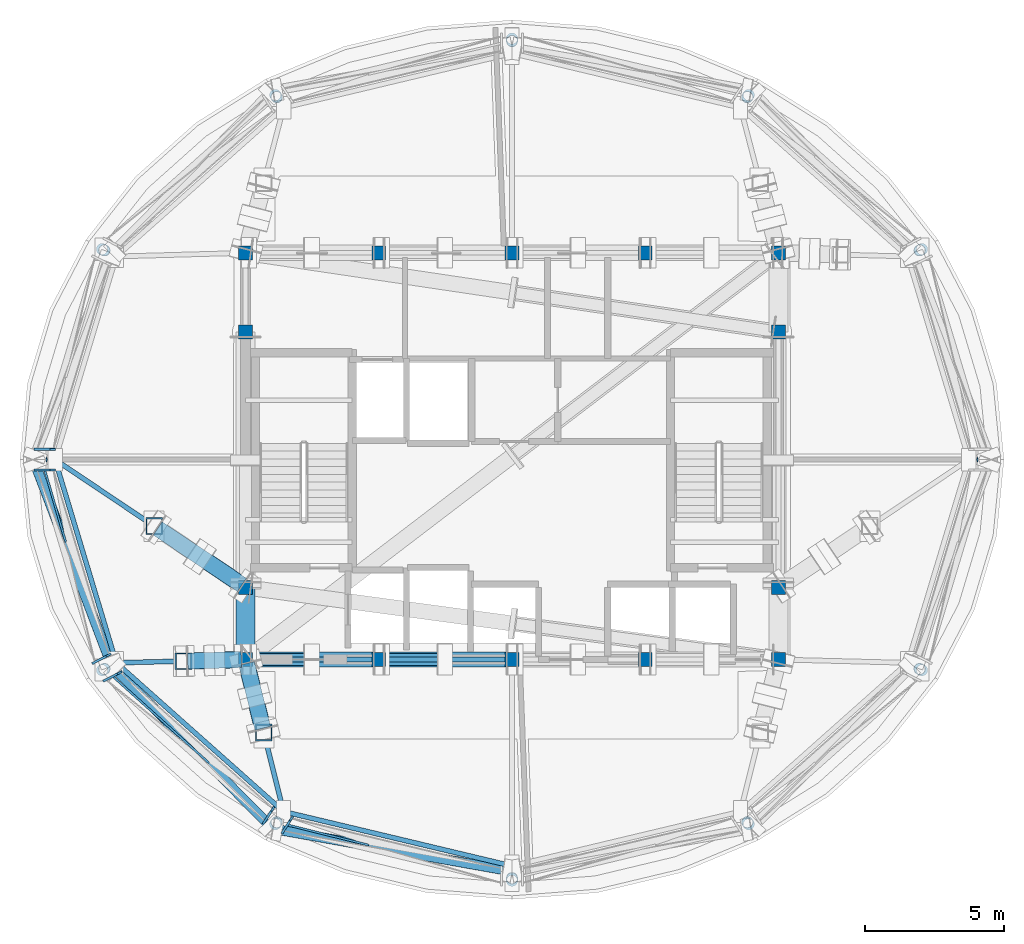
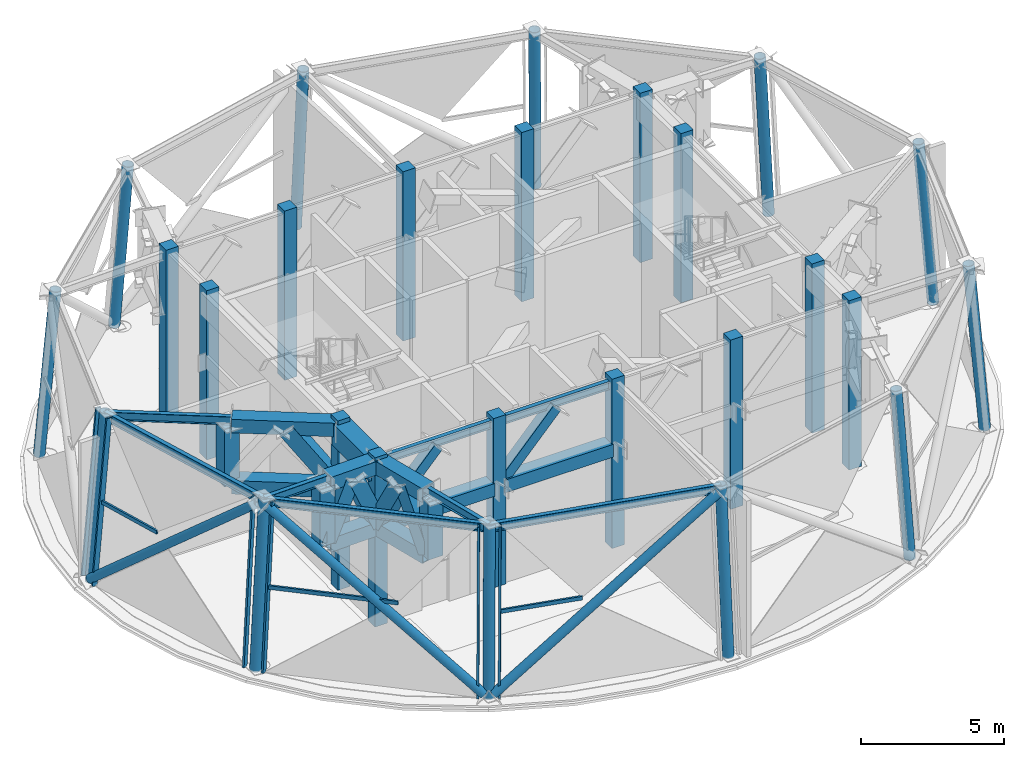
# One storey, part 1 of 12: 30 members, 26 columns, 9 beams, 4 elements without a shape of their own.
"""IFC4 building model written with IfcOpenShell, lengths in metres."""

from ifc_helpers import new_model, si_unit, direction, frame, origin, origin_2d, place, context, subcontext, project, spatial, rectangle, hollow_rectangle, hollow_circle, i_section, extrude, material, layer, layer_set, material_profile, profile_set, type_object, element, aggregate, save


model = new_model("IFC4")

# Units and contexts
model_context = context("Model", 3, precision=1e-05, world=origin(), true_north=direction((0.0, 1.0)))
body_context = subcontext(model_context, "Body", "Model", "MODEL_VIEW")
ifc_project = project(units=[si_unit("LENGTHUNIT", "METRE"), si_unit("AREAUNIT", "SQUARE_METRE"), si_unit("VOLUMEUNIT", "CUBIC_METRE"), si_unit("PLANEANGLEUNIT", "RADIAN"), si_unit("MASSUNIT", "GRAM", prefix="KILO")], contexts=[model_context])

# Site, building, storey
site_placement = place(None, origin())
site = spatial("IfcSite", under=ifc_project, at=site_placement, CompositionType="ELEMENT")
building_placement = place(site_placement, origin())
building = spatial("IfcBuilding", under=site, at=building_placement, Name="Vantalir Tower", CompositionType="ELEMENT")
storey_placement = place(building_placement, frame((0.0, 0.0, 304.5)))
storey = spatial("IfcBuildingStorey", under=building, at=storey_placement, Name="L76", CompositionType="ELEMENT", Elevation=304.5)

# Columns
ifc_material_1 = material(Name="Concrete C50/60", Category="concrete")
ifc_material_profile_1 = material_profile(ifc_material_1, rectangle(XDim=0.5, YDim=0.5, at=origin_2d()), Name="Concrete C50/60")
ifc_profile_set_1 = profile_set([ifc_material_profile_1], Name="Concrete C50/60")
column_type_1 = type_object("IfcColumnType", Name="COL-CC-500", PredefinedType="COLUMN", material=ifc_profile_set_1)
for number, where, z_axis, x_axis, name in (
    (1, (21.89990234375, 17.800048828125, 0.0), (0.0, 0.0, 1.0), (1.0, 0.0, 0.0), "L76 Core Column CC01"),
    (2, (26.699951171875, 17.800048828125, 0.0), (0.0, 0.0, 1.0), (1.0, 0.0, 0.0), "L76 Core Column CC02"),
    (3, (31.5, 17.800048828125, 0.0), (0.0, 0.0, 1.0), (1.0, 0.0, 0.0), "L76 Core Column CC03"),
    (4, (36.300048828125, 17.800048828125, 0.0), (0.0, 0.0, 1.0), (1.0, 0.0, 0.0), "L76 Core Column CC04"),
    (5, (41.10009765625, 17.800048828125, 0.0), (0.0, 0.0, 1.0), (1.0, 0.0, 0.0), "L76 Core Column CC05"),
    (6, (21.89990234375, 20.39990234375, 0.0), (0.0, 0.0, 1.0), (1.0, 0.0, 0.0), "L76 Core Column CC06"),
    (7, (21.89990234375, 29.60009765625, 0.0), (0.0, 0.0, 1.0), (1.0, 0.0, 0.0), "L76 Core Column CC07"),
    (8, (41.10009765625, 20.39990234375, 0.0), (0.0, 0.0, 1.0), (1.0, 0.0, 0.0), "L76 Core Column CC08"),
    (9, (41.10009765625, 29.60009765625, 0.0), (0.0, 0.0, 1.0), (1.0, 0.0, 0.0), "L76 Core Column CC09"),
    (10, (21.89990234375, 32.449951171875, 0.0), (0.0, 0.0, 1.0), (1.0, 0.0, 0.0), "L76 Core Column CC10"),
    (11, (26.699951171875, 32.449951171875, 0.0), (0.0, 0.0, 1.0), (1.0, 0.0, 0.0), "L76 Core Column CC11"),
    (12, (31.5, 32.449951171875, 0.0), (0.0, 0.0, 1.0), (1.0, 0.0, 0.0), "L76 Core Column CC12"),
    (13, (36.300048828125, 32.449951171875, 0.0), (0.0, 0.0, 1.0), (1.0, 0.0, 0.0), "L76 Core Column CC13"),
    (14, (41.10009765625, 32.449951171875, 0.0), (0.0, 0.0, 1.0), (1.0, 0.0, 0.0), "L76 Core Column CC14"),
):
    element("IfcColumn", number, at=place(storey_placement, frame(where, z_axis=z_axis, x_axis=x_axis)), inside=storey, type_object=column_type_1, Name=name, PredefinedType="COLUMN", context=body_context, shape_type="SweptSolid", body=[
        extrude(rectangle(XDim=0.5, YDim=0.5, at=origin_2d()), origin(), (0.0, 0.0, 1.0), 7.25),
    ])
ifc_material_2 = material(Name="Steel S460", Category="steel")
ifc_material_profile_2 = material_profile(ifc_material_2, hollow_circle(Radius=0.2099609375, WallThickness=0.02001953125, at=origin_2d()), Name="Steel S460")
ifc_profile_set_2 = profile_set([ifc_material_profile_2], Name="Steel S460")
column_type_2 = type_object("IfcColumnType", Name="COL-RC-420", PredefinedType="COLUMN", material=ifc_profile_set_2)
column_1_placement = place(storey_placement, frame((48.550048828125, 25.0, 0.0), z_axis=(-0.082763526371, 0.0, 0.996569214206), x_axis=(0.0, -1.0, 0.0)))
element("IfcColumn", 15, at=column_1_placement, inside=storey, type_object=column_type_2, Name="L76 Perimeter Ring Column RC01", PredefinedType="COLUMN", context=body_context, shape_type="SweptSolid", body=[
    extrude(hollow_circle(Radius=0.2099609375, WallThickness=0.02001953125, at=origin_2d()), origin(), (0.0, 0.0, 1.0), 7.094482421875),
])
column_2_placement = place(storey_placement, frame((46.26611328125, 32.58203125, 0.0), z_axis=(-0.071763463245, -0.036931508902, 0.996737713239), x_axis=(0.457588893393, -0.88916387952, 0.0)))
element("IfcColumn", 16, at=column_2_placement, inside=storey, type_object=column_type_2, Name="L76 Perimeter Ring Column RC02", PredefinedType="COLUMN", context=body_context, shape_type="SweptSolid", body=[
    extrude(hollow_circle(Radius=0.2099609375, WallThickness=0.02001953125, at=origin_2d()), origin(), (0.0, 0.0, 1.0), 7.09326171875),
])
column_3_placement = place(storey_placement, frame((40.02490234375, 38.132080078125, 0.0), z_axis=(-0.041317737843, -0.063904767863, 0.997100308487), x_axis=(0.839764329894, -0.542951075363, 0.0)))
element("IfcColumn", 17, at=column_3_placement, inside=storey, type_object=column_type_2, Name="L76 Perimeter Ring Column RC03", PredefinedType="COLUMN", context=body_context, shape_type="SweptSolid", body=[
    extrude(hollow_circle(Radius=0.2099609375, WallThickness=0.02001953125, at=origin_2d()), origin(), (0.0, 0.0, 1.0), 7.090576171875),
])
column_4_placement = place(storey_placement, frame((31.5, 40.1640625, 0.0), z_axis=(0.0, -0.073936378182, 0.997262960298), x_axis=(1.0, 0.0, 0.0)))
element("IfcColumn", 18, at=column_4_placement, inside=storey, type_object=column_type_2, Name="L76 Perimeter Ring Column RC04", PredefinedType="COLUMN", context=body_context, shape_type="SweptSolid", body=[
    extrude(hollow_circle(Radius=0.2099609375, WallThickness=0.02001953125, at=origin_2d()), origin(), (0.0, 0.0, 1.0), 7.08935546875),
])
column_5_placement = place(storey_placement, frame((22.97509765625, 38.132080078125, 0.0), z_axis=(0.041455227341, -0.063904403609, 0.997094625061), x_axis=(0.838938976094, 0.544225499578, 0.0)))
element("IfcColumn", 19, at=column_5_placement, inside=storey, type_object=column_type_2, Name="L76 Perimeter Ring Column RC05", PredefinedType="COLUMN", context=body_context, shape_type="SweptSolid", body=[
    extrude(hollow_circle(Radius=0.2099609375, WallThickness=0.02001953125, at=origin_2d()), origin(), (0.0, 0.0, 1.0), 7.090576171875),
])
column_6_placement = place(storey_placement, frame((16.73388671875, 32.58203125, 0.0), z_axis=(0.071763463245, -0.036931508902, 0.996737713239), x_axis=(0.457588893393, 0.88916387952, 0.0)))
element("IfcColumn", 20, at=column_6_placement, inside=storey, type_object=column_type_2, Name="L76 Perimeter Ring Column RC06", PredefinedType="COLUMN", context=body_context, shape_type="SweptSolid", body=[
    extrude(hollow_circle(Radius=0.2099609375, WallThickness=0.02001953125, at=origin_2d()), origin(), (0.0, 0.0, 1.0), 7.09326171875),
])
column_7_placement = place(storey_placement, frame((14.449951171875, 25.0, 0.0), z_axis=(0.082763526371, 0.0, 0.996569214206), x_axis=(0.0, 1.0, 0.0)))
element("IfcColumn", 21, at=column_7_placement, inside=storey, type_object=column_type_2, Name="L76 Perimeter Ring Column RC07", PredefinedType="COLUMN", context=body_context, shape_type="SweptSolid", body=[
    extrude(hollow_circle(Radius=0.2099609375, WallThickness=0.02001953125, at=origin_2d()), origin(), (0.0, 0.0, 1.0), 7.094482421875),
])
column_8_placement = place(storey_placement, frame((16.73388671875, 17.41796875, 0.0), z_axis=(0.071763463245, 0.036931508902, 0.996737713239), x_axis=(-0.457588893393, 0.88916387952, 0.0)))
element("IfcColumn", 22, at=column_8_placement, inside=storey, type_object=column_type_2, Name="L76 Perimeter Ring Column RC08", PredefinedType="COLUMN", context=body_context, shape_type="SweptSolid", body=[
    extrude(hollow_circle(Radius=0.2099609375, WallThickness=0.02001953125, at=origin_2d()), origin(), (0.0, 0.0, 1.0), 7.09326171875),
])
column_9_placement = place(storey_placement, frame((22.97509765625, 11.867919921875, 0.0), z_axis=(0.041317737843, 0.063904767863, 0.997100308487), x_axis=(-0.839764329894, 0.542951075363, 0.0)))
element("IfcColumn", 23, at=column_9_placement, inside=storey, type_object=column_type_2, Name="L76 Perimeter Ring Column RC09", PredefinedType="COLUMN", context=body_context, shape_type="SweptSolid", body=[
    extrude(hollow_circle(Radius=0.2099609375, WallThickness=0.02001953125, at=origin_2d()), origin(), (0.0, 0.0, 1.0), 7.090576171875),
])
column_10_placement = place(storey_placement, frame((31.5, 9.8359375, 0.0), z_axis=(0.0, 0.073936378182, 0.997262960298), x_axis=(-1.0, 0.0, 0.0)))
element("IfcColumn", 24, at=column_10_placement, inside=storey, type_object=column_type_2, Name="L76 Perimeter Ring Column RC10", PredefinedType="COLUMN", context=body_context, shape_type="SweptSolid", body=[
    extrude(hollow_circle(Radius=0.2099609375, WallThickness=0.02001953125, at=origin_2d()), origin(), (0.0, 0.0, 1.0), 7.08935546875),
])
column_11_placement = place(storey_placement, frame((40.02490234375, 11.867919921875, 0.0), z_axis=(-0.041317737843, 0.063904767863, 0.997100308487), x_axis=(-0.839764329894, -0.542951075363, 0.0)))
element("IfcColumn", 25, at=column_11_placement, inside=storey, type_object=column_type_2, Name="L76 Perimeter Ring Column RC11", PredefinedType="COLUMN", context=body_context, shape_type="SweptSolid", body=[
    extrude(hollow_circle(Radius=0.2099609375, WallThickness=0.02001953125, at=origin_2d()), origin(), (0.0, 0.0, 1.0), 7.090576171875),
])
column_12_placement = place(storey_placement, frame((46.26611328125, 17.41796875, 0.0), z_axis=(-0.071763463245, 0.036931508902, 0.996737713239), x_axis=(-0.457588893393, -0.88916387952, 0.0)))
element("IfcColumn", 26, at=column_12_placement, inside=storey, type_object=column_type_2, Name="L76 Perimeter Ring Column RC12", PredefinedType="COLUMN", context=body_context, shape_type="SweptSolid", body=[
    extrude(hollow_circle(Radius=0.2099609375, WallThickness=0.02001953125, at=origin_2d()), origin(), (0.0, 0.0, 1.0), 7.09326171875),
])

# Beams
ifc_material_3 = material(Name="Concrete C60/75", Category="concrete")
ifc_material_profile_3 = material_profile(ifc_material_3, rectangle(XDim=0.699951171875, YDim=0.949951171875, at=origin_2d()), Name="Concrete C60/75")
ifc_profile_set_3 = profile_set([ifc_material_profile_3], Name="Concrete C60/75")
beam_type_1 = type_object("IfcBeamType", Name="BM-CB-700x950", PredefinedType="USERDEFINED", material=ifc_profile_set_3)
beam_1_placement = place(storey_placement, frame((21.89990234375, 20.39990234375, 6.594970703125), z_axis=(0.0, -1.0, 0.0), x_axis=(1.0, 0.0, 0.0)))
element("IfcBeam", 27, at=beam_1_placement, inside=storey, type_object=beam_type_1, Name="L76 Core Coupling Girder 14", ObjectType="GIRDER", PredefinedType="USERDEFINED", context=body_context, shape_type="SweptSolid", body=[
    extrude(rectangle(XDim=0.699951171875, YDim=0.949951171875, at=origin_2d()), origin(), (0.0, 0.0, 1.0), 2.599853515625),
])
ifc_material_profile_4 = material_profile(ifc_material_2, i_section(OverallWidth=0.172119140625, OverallDepth=0.35791015625, WebThickness=0.008056640625, FlangeThickness=0.012939453125, at=origin_2d()), Name="Steel S460")
ifc_profile_set_4 = profile_set([ifc_material_profile_4], Name="Steel S460")
beam_type_2 = type_object("IfcBeamType", Name="BM-RB-356x171", PredefinedType="BEAM", material=ifc_profile_set_4)
for number, where, z_axis, x_axis, name in (
    (28, (21.89990234375, 17.800048828125, 6.89111328125), (1.0, 0.0, 0.0), (0.0, 1.0, 0.0), "L76 Core Coupling Girder 01"),
    (29, (26.699951171875, 17.800048828125, 6.89111328125), (1.0, 0.0, 0.0), (0.0, 1.0, 0.0), "L76 Core Coupling Girder 02"),
):
    element("IfcBeam", number, at=place(storey_placement, frame(where, z_axis=z_axis, x_axis=x_axis)), inside=storey, type_object=beam_type_2, Name=name, PredefinedType="BEAM", context=body_context, shape_type="SweptSolid", body=[
        extrude(i_section(OverallWidth=0.172119140625, OverallDepth=0.35791015625, WebThickness=0.008056640625, FlangeThickness=0.012939453125, at=origin_2d()), origin(), (0.0, 0.0, 1.0), 4.800048828125),
    ])
beam_2_placement = place(storey_placement, frame((15.037109375, 25.0, 6.89111328125), z_axis=(0.288522484145, -0.957473120324, 0.0), x_axis=(0.957473120324, 0.288522484145, 0.0)))
element("IfcBeam", 30, at=beam_2_placement, inside=storey, type_object=beam_type_2, Name="L76 Circumferential Ring Girder 07", PredefinedType="BEAM", context=body_context, shape_type="SweptSolid", body=[
    extrude(i_section(OverallWidth=0.172119140625, OverallDepth=0.35791015625, WebThickness=0.008056640625, FlangeThickness=0.012939453125, at=origin_2d()), origin(), (0.0, 0.0, 1.0), 7.645263671875),
])
beam_3_placement = place(storey_placement, frame((15.037109375, 25.0, 6.89111328125), z_axis=(0.830656544516, -0.55678515161, 0.0), x_axis=(0.55678515161, 0.830656544516, 0.0)))
element("IfcBeam", 31, at=beam_3_placement, inside=storey, type_object=beam_type_2, Name="L76 Radial Floor Beam 07", PredefinedType="BEAM", context=body_context, shape_type="SweptSolid", body=[
    extrude(i_section(OverallWidth=0.172119140625, OverallDepth=0.35791015625, WebThickness=0.008056640625, FlangeThickness=0.012939453125, at=origin_2d()), origin(), (0.0, 0.0, 1.0), 8.261962890625),
])
beam_4_placement = place(storey_placement, frame((17.242919921875, 17.679931640625, 6.89111328125), z_axis=(0.74721217047, -0.664585564319, 0.0), x_axis=(0.664585564319, 0.74721217047, 0.0)))
element("IfcBeam", 32, at=beam_4_placement, inside=storey, type_object=beam_type_2, Name="L76 Circumferential Ring Girder 08", PredefinedType="BEAM", context=body_context, shape_type="SweptSolid", body=[
    extrude(i_section(OverallWidth=0.172119140625, OverallDepth=0.35791015625, WebThickness=0.008056640625, FlangeThickness=0.012939453125, at=origin_2d()), origin(), (0.0, 0.0, 1.0), 8.0634765625),
])
beam_5_placement = place(storey_placement, frame((17.242919921875, 17.679931640625, 6.89111328125), z_axis=(0.99966752845, 0.025784347261, 0.0), x_axis=(-0.025784347261, 0.99966752845, 0.0)))
element("IfcBeam", 33, at=beam_5_placement, inside=storey, type_object=beam_type_2, Name="L76 Radial Floor Beam 08", PredefinedType="BEAM", context=body_context, shape_type="SweptSolid", body=[
    extrude(i_section(OverallWidth=0.172119140625, OverallDepth=0.35791015625, WebThickness=0.008056640625, FlangeThickness=0.012939453125, at=origin_2d()), origin(), (0.0, 0.0, 1.0), 4.658447265625),
])
beam_6_placement = place(storey_placement, frame((23.26806640625, 12.321044921875, 6.89111328125), z_axis=(0.972780825365, -0.231727136525, 0.0), x_axis=(0.231727136525, 0.972780825365, 0.0)))
element("IfcBeam", 34, at=beam_6_placement, inside=storey, type_object=beam_type_2, Name="L76 Circumferential Ring Girder 09", PredefinedType="BEAM", context=body_context, shape_type="SweptSolid", body=[
    extrude(i_section(OverallWidth=0.172119140625, OverallDepth=0.35791015625, WebThickness=0.008056640625, FlangeThickness=0.012939453125, at=origin_2d()), origin(), (0.0, 0.0, 1.0), 8.462158203125),
])
beam_7_placement = place(storey_placement, frame((23.26806640625, 12.321044921875, 6.89111328125), z_axis=(-0.242271138986, 0.970208583354, 0.0), x_axis=(-0.970208583354, -0.242271138986, 0.0)))
element("IfcBeam", 35, at=beam_7_placement, inside=storey, type_object=beam_type_2, Name="L76 Radial Floor Beam 09", PredefinedType="BEAM", context=body_context, shape_type="SweptSolid", body=[
    extrude(i_section(OverallWidth=0.172119140625, OverallDepth=0.35791015625, WebThickness=0.008056640625, FlangeThickness=0.012939453125, at=origin_2d()), origin(), (0.0, 0.0, 1.0), 5.647216796875),
])

# Curtain wall, member
ifc_material_4 = material(Name="Champagne-silver PVDF aluminium and double-silver Low-E glass", Category="aluminium")
ifc_layer = layer(ifc_material_4, 0.25)
ifc_layer_set = layer_set([ifc_layer], Name="Champagne-silver PVDF aluminium and double-silver Low-E glass")
curtain_wall_type = type_object("IfcCurtainWallType", Name="CW-CROWN-PT", PredefinedType="USERDEFINED", material=ifc_layer_set)
curtain_wall_1_placement = place(storey_placement, origin())
curtain_wall_1 = element("IfcCurtainWall", 36, at=curtain_wall_1_placement, inside=storey, type_object=curtain_wall_type, Name="L76 Quilted Pyramid-Diamond Curtain Wall S06", ObjectType="UNITISED CURTAIN WALL", PredefinedType="USERDEFINED")
ifc_material_5 = material(Name="Champagne-silver PVDF aluminium 6063-T6", Category="aluminium")
ifc_material_profile_5 = material_profile(ifc_material_5, hollow_rectangle(XDim=0.080078125, YDim=0.199951171875, WallThickness=0.0048828125, at=origin_2d()), Name="Champagne-silver PVDF aluminium 6063-T6")
ifc_profile_set_5 = profile_set([ifc_material_profile_5], Name="Champagne-silver PVDF aluminium 6063-T6")
member_type_1 = type_object("IfcMemberType", Name="CWM-200x80", PredefinedType="MULLION", material=ifc_profile_set_5)
member_1_placement = place(storey_placement, frame((14.3720703125, 25.373046875, 0.044921875), z_axis=(0.083789655369, 0.0, 0.996483463813), x_axis=(0.0, 1.0, 0.0)))
member_1 = element("IfcMember", 37, at=member_1_placement, type_object=member_type_1, Name="CW-L76-S06 Mullion 2", PredefinedType="MULLION", context=body_context, shape_type="SweptSolid", body=[
    extrude(hollow_rectangle(XDim=0.080078125, YDim=0.199951171875, WallThickness=0.0048828125, at=origin_2d()), origin(), (0.0, 0.0, 1.0), 7.004638671875),
])
aggregate(curtain_wall_1, [member_1])

# Curtain wall, members
curtain_wall_2_placement = place(storey_placement, origin())
curtain_wall_2 = element("IfcCurtainWall", 38, at=curtain_wall_2_placement, inside=storey, type_object=curtain_wall_type, Name="L76 Quilted Pyramid-Diamond Curtain Wall S07", ObjectType="UNITISED CURTAIN WALL", PredefinedType="USERDEFINED")
member_2_placement = place(storey_placement, frame((14.3720703125, 24.626953125, 0.044921875), z_axis=(0.083789655369, 0.0, 0.996483463813), x_axis=(0.0, 1.0, 0.0)))
member_2 = element("IfcMember", 39, at=member_2_placement, type_object=member_type_1, Name="CW-L76-S07 Mullion 1", PredefinedType="MULLION", context=body_context, shape_type="SweptSolid", body=[
    extrude(hollow_rectangle(XDim=0.080078125, YDim=0.199951171875, WallThickness=0.0048828125, at=origin_2d()), origin(), (0.0, 0.0, 1.0), 7.004638671875),
])
member_3_placement = place(storey_placement, frame((16.4580078125, 17.696044921875, 0.044921875), z_axis=(0.072544830154, 0.037405383352, 0.996663476262), x_axis=(-0.4582838613, 0.888805885709, 0.0)))
member_3 = element("IfcMember", 40, at=member_3_placement, type_object=member_type_1, Name="CW-L76-S07 Mullion 2", PredefinedType="MULLION", context=body_context, shape_type="SweptSolid", body=[
    extrude(hollow_rectangle(XDim=0.080078125, YDim=0.199951171875, WallThickness=0.0048828125, at=origin_2d()), origin(), (0.0, 0.0, 1.0), 7.00341796875),
])

curtain_wall_3_placement = place(storey_placement, origin())
curtain_wall_3 = element("IfcCurtainWall", 41, at=curtain_wall_3_placement, inside=storey, type_object=curtain_wall_type, Name="L76 Quilted Pyramid-Diamond Curtain Wall S08", ObjectType="UNITISED CURTAIN WALL", PredefinedType="USERDEFINED")
member_4_placement = place(storey_placement, frame((16.861083984375, 17.06396484375, 0.044921875), z_axis=(0.072510152923, 0.037405477926, 0.996665996181), x_axis=(-0.458457889365, 0.888716132226, 0.0)))
member_4 = element("IfcMember", 42, at=member_4_placement, type_object=member_type_1, Name="CW-L76-S08 Mullion 1", PredefinedType="MULLION", context=body_context, shape_type="SweptSolid", body=[
    extrude(hollow_rectangle(XDim=0.080078125, YDim=0.199951171875, WallThickness=0.0048828125, at=origin_2d()), origin(), (0.0, 0.0, 1.0), 7.00341796875),
])
member_5_placement = place(storey_placement, frame((22.589111328125, 11.9619140625, 0.044921875), z_axis=(0.041847483716, 0.06486359976, 0.997016299532), x_axis=(-0.840296648224, 0.542126869822, 0.0)))
member_5 = element("IfcMember", 43, at=member_5_placement, type_object=member_type_1, Name="CW-L76-S08 Mullion 2", PredefinedType="MULLION", context=body_context, shape_type="SweptSolid", body=[
    extrude(hollow_rectangle(XDim=0.080078125, YDim=0.199951171875, WallThickness=0.0048828125, at=origin_2d()), origin(), (0.0, 0.0, 1.0), 7.0009765625),
])

# Curtain wall, member
curtain_wall_4_placement = place(storey_placement, origin())
curtain_wall_4 = element("IfcCurtainWall", 44, at=curtain_wall_4_placement, inside=storey, type_object=curtain_wall_type, Name="L76 Quilted Pyramid-Diamond Curtain Wall S09", ObjectType="UNITISED CURTAIN WALL", PredefinedType="USERDEFINED")
member_6_placement = place(storey_placement, frame((23.259033203125, 11.612060546875, 0.044921875), z_axis=(0.041847578349, 0.064828873459, 0.997018554167), x_axis=(-0.840163795979, 0.542332735436, 0.0)))
member_6 = element("IfcMember", 45, at=member_6_placement, type_object=member_type_1, Name="CW-L76-S09 Mullion 1", PredefinedType="MULLION", context=body_context, shape_type="SweptSolid", body=[
    extrude(hollow_rectangle(XDim=0.080078125, YDim=0.199951171875, WallThickness=0.0048828125, at=origin_2d()), origin(), (0.0, 0.0, 1.0), 7.000732421875),
])

# Member
ifc_material_profile_6 = material_profile(ifc_material_5, hollow_rectangle(XDim=0.074951171875, YDim=0.159912109375, WallThickness=0.00390625, at=origin_2d()), Name="Champagne-silver PVDF aluminium 6063-T6")
ifc_profile_set_6 = profile_set([ifc_material_profile_6], Name="Champagne-silver PVDF aluminium 6063-T6")
member_type_2 = type_object("IfcMemberType", Name="CWT-160x75", PredefinedType="USERDEFINED", material=ifc_profile_set_6)
member_7_placement = place(storey_placement, frame((14.666015625, 24.626953125, 3.534912109375), z_axis=(0.279693916572, -0.960089221392, 0.0), x_axis=(0.960089221392, 0.279693916572, 0.0)))
member_7 = element("IfcMember", 46, at=member_7_placement, type_object=member_type_2, Name="CW-L76-S07 Pyramid Fold Ridge Transom", ObjectType="TRANSOM", PredefinedType="USERDEFINED", context=body_context, shape_type="SweptSolid", body=[
    extrude(hollow_rectangle(XDim=0.074951171875, YDim=0.159912109375, WallThickness=0.00390625, at=origin_2d()), origin(), (0.0, 0.0, 1.0), 2.695556640625),
])

aggregate(curtain_wall_2, [member_2, member_3, member_7])

member_8_placement = place(storey_placement, frame((17.114990234375, 17.195068359375, 3.534912109375), z_axis=(0.743307155619, -0.668950276482, 0.0), x_axis=(0.668950276482, 0.743307155619, 0.0)))
member_8 = element("IfcMember", 47, at=member_8_placement, type_object=member_type_2, Name="CW-L76-S08 Pyramid Fold Ridge Transom", ObjectType="TRANSOM", PredefinedType="USERDEFINED", context=body_context, shape_type="SweptSolid", body=[
    extrude(hollow_rectangle(XDim=0.074951171875, YDim=0.159912109375, WallThickness=0.00390625, at=origin_2d()), origin(), (0.0, 0.0, 1.0), 4.665771484375),
])

aggregate(curtain_wall_3, [member_4, member_5, member_8])

member_9_placement = place(storey_placement, frame((23.406005859375, 11.839111328125, 3.534912109375), z_axis=(0.970811285647, -0.239844632335, 0.0), x_axis=(0.239844632335, 0.970811285647, 0.0)))
member_9 = element("IfcMember", 48, at=member_9_placement, type_object=member_type_2, Name="CW-L76-S09 Pyramid Fold Ridge Transom", ObjectType="TRANSOM", PredefinedType="USERDEFINED", context=body_context, shape_type="SweptSolid", body=[
    extrude(hollow_rectangle(XDim=0.074951171875, YDim=0.159912109375, WallThickness=0.00390625, at=origin_2d()), origin(), (0.0, 0.0, 1.0), 3.010986328125),
])

aggregate(curtain_wall_4, [member_6, member_9])

# Members
ifc_material_profile_7 = material_profile(ifc_material_2, hollow_rectangle(XDim=0.419921875, YDim=0.419921875, WallThickness=0.030029296875, at=origin_2d()), Name="Steel S460")
ifc_profile_set_7 = profile_set([ifc_material_profile_7], Name="Steel S460")
member_type_3 = type_object("IfcMemberType", Name="MEM-BT-420x30", PredefinedType="BRACE", material=ifc_profile_set_7)
member_10_placement = place(storey_placement, frame((22.02197265625, 17.800048828125, 4.3330078125), z_axis=(0.675455053523, 0.0, 0.737401159933), x_axis=(0.0, 1.0, 0.0)))
element("IfcMember", 49, at=member_10_placement, inside=storey, type_object=member_type_3, Name="L76 Belt Truss Web Diagonal 01A", PredefinedType="BRACE", context=body_context, shape_type="SweptSolid", body=[
    extrude(hollow_rectangle(XDim=0.419921875, YDim=0.419921875, WallThickness=0.030029296875, at=origin_2d()), origin(), (0.0, 0.0, 1.0), 3.322509765625),
])
member_11_placement = place(storey_placement, frame((26.822021484375, 17.800048828125, 4.3330078125), z_axis=(0.675415093438, 0.0, 0.737437761141), x_axis=(0.0, 1.0, 0.0)))
element("IfcMember", 50, at=member_11_placement, inside=storey, type_object=member_type_3, Name="L76 Belt Truss Web Diagonal 02A", PredefinedType="BRACE", context=body_context, shape_type="SweptSolid", body=[
    extrude(hollow_rectangle(XDim=0.419921875, YDim=0.419921875, WallThickness=0.030029296875, at=origin_2d()), origin(), (0.0, 0.0, 1.0), 3.322265625),
])
ifc_material_profile_8 = material_profile(ifc_material_2, hollow_rectangle(XDim=0.550048828125, YDim=0.550048828125, WallThickness=0.035888671875, at=origin_2d()), Name="Steel S460")
ifc_profile_set_8 = profile_set([ifc_material_profile_8], Name="Steel S460")
member_type_4 = type_object("IfcMemberType", Name="MEM-CH-550x36", PredefinedType="CHORD", material=ifc_profile_set_8)
member_12_placement = place(storey_placement, frame((22.10009765625, 17.800048828125, 4.199951171875), z_axis=(1.0, 0.0, 0.0), x_axis=(0.0, 1.0, 0.0)))
element("IfcMember", 51, at=member_12_placement, inside=storey, type_object=member_type_4, Name="L76 Belt Truss Bottom Chord 01", PredefinedType="CHORD", context=body_context, shape_type="SweptSolid", body=[
    extrude(hollow_rectangle(XDim=0.550048828125, YDim=0.550048828125, WallThickness=0.035888671875, at=origin_2d()), origin(), (0.0, 0.0, 1.0), 4.39990234375),
])
member_13_placement = place(storey_placement, frame((26.89990234375, 17.800048828125, 4.199951171875), z_axis=(1.0, 0.0, 0.0), x_axis=(0.0, 1.0, 0.0)))
element("IfcMember", 52, at=member_13_placement, inside=storey, type_object=member_type_4, Name="L76 Belt Truss Bottom Chord 02", PredefinedType="CHORD", context=body_context, shape_type="SweptSolid", body=[
    extrude(hollow_rectangle(XDim=0.550048828125, YDim=0.550048828125, WallThickness=0.035888671875, at=origin_2d()), origin(), (0.0, 0.0, 1.0), 4.400146484375),
])
ifc_material_profile_9 = material_profile(ifc_material_2, hollow_rectangle(XDim=0.580078125, YDim=0.580078125, WallThickness=0.0380859375, at=origin_2d()), Name="Steel S460")
ifc_profile_set_9 = profile_set([ifc_material_profile_9], Name="Steel S460")
member_type_5 = type_object("IfcMemberType", Name="MEM-CH-580x38", PredefinedType="CHORD", material=ifc_profile_set_9)
for number, where, z_axis, x_axis, name in (
    (53, (21.77490234375, 20.48388671875, 4.199951171875), (-0.830694795831, 0.556728081005, 0.0), (-0.556728081005, -0.830694795831, 0.0), "L76 Outrigger Truss Bottom Chord 05"),
    (54, (21.77490234375, 20.48388671875, 6.820068359375), (-0.830694795831, 0.556728081005, 0.0), (-0.556728081005, -0.830694795831, 0.0), "L76 Outrigger Truss Top Chord 05"),
):
    element("IfcMember", number, at=place(storey_placement, frame(where, z_axis=z_axis, x_axis=x_axis)), inside=storey, type_object=member_type_5, Name=name, PredefinedType="CHORD", context=body_context, shape_type="SweptSolid", body=[
        extrude(hollow_rectangle(XDim=0.580078125, YDim=0.580078125, WallThickness=0.0380859375, at=origin_2d()), origin(), (0.0, 0.0, 1.0), 3.664306640625),
    ])
for number, where, z_axis, x_axis, name in (
    (55, (21.75, 17.7958984375, 4.199951171875), (-0.999668940164, -0.025729556371, 0.0), (0.025729556371, -0.999668940164, 0.0), "L76 Outrigger Truss Bottom Chord 06"),
    (56, (21.75, 17.7958984375, 6.820068359375), (-0.999668940164, -0.025729556371, 0.0), (0.025729556371, -0.999668940164, 0.0), "L76 Outrigger Truss Top Chord 06"),
):
    element("IfcMember", number, at=place(storey_placement, frame(where, z_axis=z_axis, x_axis=x_axis)), inside=storey, type_object=member_type_5, Name=name, PredefinedType="CHORD", context=body_context, shape_type="SweptSolid", body=[
        extrude(hollow_rectangle(XDim=0.580078125, YDim=0.580078125, WallThickness=0.0380859375, at=origin_2d()), origin(), (0.0, 0.0, 1.0), 1.935791015625),
    ])
for number, where, z_axis, x_axis, name in (
    (57, (21.93603515625, 17.654052734375, 4.199951171875), (0.242702460026, -0.970100776155, 0.0), (0.970100776155, 0.242702460026, 0.0), "L76 Outrigger Truss Bottom Chord 07"),
    (58, (21.93603515625, 17.654052734375, 6.820068359375), (0.242702460026, -0.970100776155, 0.0), (0.970100776155, 0.242702460026, 0.0), "L76 Outrigger Truss Top Chord 07"),
):
    element("IfcMember", number, at=place(storey_placement, frame(where, z_axis=z_axis, x_axis=x_axis)), inside=storey, type_object=member_type_5, Name=name, PredefinedType="CHORD", context=body_context, shape_type="SweptSolid", body=[
        extrude(hollow_rectangle(XDim=0.580078125, YDim=0.580078125, WallThickness=0.0380859375, at=origin_2d()), origin(), (0.0, 0.0, 1.0), 2.41015625),
    ])
ifc_material_profile_10 = material_profile(ifc_material_2, hollow_circle(Radius=0.177490234375, WallThickness=0.02001953125, at=origin_2d()), Name="Steel S460")
ifc_profile_set_10 = profile_set([ifc_material_profile_10], Name="Steel S460")
member_type_6 = type_object("IfcMemberType", Name="MEM-DB-355x20", PredefinedType="BRACE", material=ifc_profile_set_10)
member_14_placement = place(storey_placement, frame((14.319091796875, 24.844970703125, 0.22509765625), z_axis=(0.267869695363, -0.704904952931, 0.656776090947), x_axis=(0.934781020776, 0.355224496899, 0.0)))
element("IfcMember", 59, at=member_14_placement, inside=storey, type_object=member_type_6, Name="L76 CROWN FRAME Diagrid Brace R19L", PredefinedType="BRACE", context=body_context, shape_type="SweptSolid", body=[
    extrude(hollow_circle(Radius=0.177490234375, WallThickness=0.02001953125, at=origin_2d()), origin(), (0.0, 0.0, 1.0), 10.079345703125),
])
member_15_placement = place(storey_placement, frame((23.050048828125, 11.673095703125, 0.216064453125), z_axis=(0.772818347018, -0.137496267313, 0.619553531979), x_axis=(0.175164654269, 0.984539153053, 0.0)))
element("IfcMember", 60, at=member_15_placement, inside=storey, type_object=member_type_6, Name="L76 CROWN FRAME Diagrid Brace R25L", PredefinedType="BRACE", context=body_context, shape_type="SweptSolid", body=[
    extrude(hollow_circle(Radius=0.177490234375, WallThickness=0.02001953125, at=origin_2d()), origin(), (0.0, 0.0, 1.0), 10.714111328125),
])
member_16_placement = place(storey_placement, frame((22.760986328125, 11.822998046875, 0.220947265625), z_axis=(-0.538584937277, 0.546147340959, 0.641599054942), x_axis=(-0.712019198283, -0.702159996922, 0.0)))
element("IfcMember", 61, at=member_16_placement, inside=storey, type_object=member_type_6, Name="L76 CROWN FRAME Diagrid Brace R25R", PredefinedType="BRACE", context=body_context, shape_type="SweptSolid", body=[
    extrude(hollow_circle(Radius=0.177490234375, WallThickness=0.02001953125, at=origin_2d()), origin(), (0.0, 0.0, 1.0), 10.330810546875),
])
ifc_material_profile_11 = material_profile(ifc_material_2, hollow_rectangle(XDim=0.60009765625, YDim=0.60009765625, WallThickness=0.0400390625, at=origin_2d()), Name="Steel S460")
ifc_profile_set_11 = profile_set([ifc_material_profile_11], Name="Steel S460")
member_type_7 = type_object("IfcMemberType", Name="MEM-OR-600x40", PredefinedType="BRACE", material=ifc_profile_set_11)
member_17_placement = place(storey_placement, frame((21.824951171875, 20.449951171875, 4.320068359375), z_axis=(-0.50137552309, 0.336301295481, 0.797197606308), x_axis=(-0.557049881514, -0.830479036162, 0.0)))
element("IfcMember", 62, at=member_17_placement, inside=storey, type_object=member_type_7, Name="L76 Outrigger Truss Diagonal 05A", PredefinedType="BRACE", context=body_context, shape_type="SweptSolid", body=[
    extrude(hollow_rectangle(XDim=0.60009765625, YDim=0.60009765625, WallThickness=0.0400390625, at=origin_2d()), origin(), (0.0, 0.0, 1.0), 3.015625),
])
member_18_placement = place(storey_placement, frame((18.60595703125, 22.60791015625, 4.280029296875), z_axis=(0.0, 0.0, 1.0), x_axis=(1.0, 0.0, 0.0)))
element("IfcMember", 63, at=member_18_placement, inside=storey, type_object=member_type_7, Name="L76 Outrigger Truss Tip Post 05", PredefinedType="BRACE", context=body_context, shape_type="SweptSolid", body=[
    extrude(hollow_rectangle(XDim=0.60009765625, YDim=0.60009765625, WallThickness=0.0400390625, at=origin_2d()), origin(), (0.0, 0.0, 1.0), 2.4599609375),
])
for number, where, z_axis, x_axis, name in (
    (64, (21.841064453125, 17.798095703125, 4.337890625), (-0.39205861823, -0.010130469005, 0.919884456586), (0.025830547675, -0.999666335737, 0.0), "L76 Outrigger Truss Diagonal 06A"),
    (65, (20.735107421875, 17.77001953125, 6.7099609375), (-0.39205861823, -0.010130469005, -0.919884456586), (0.025830547675, -0.999666335737, 0.0), "L76 Outrigger Truss Diagonal 06B"),
):
    element("IfcMember", number, at=place(storey_placement, frame(where, z_axis=z_axis, x_axis=x_axis)), inside=storey, type_object=member_type_7, Name=name, PredefinedType="BRACE", context=body_context, shape_type="SweptSolid", body=[
        extrude(hollow_rectangle(XDim=0.60009765625, YDim=0.60009765625, WallThickness=0.0400390625, at=origin_2d()), origin(), (0.0, 0.0, 1.0), 2.57861328125),
    ])
member_19_placement = place(storey_placement, frame((19.6650390625, 17.741943359375, 4.280029296875), z_axis=(0.0, 0.0, 1.0), x_axis=(1.0, 0.0, 0.0)))
element("IfcMember", 66, at=member_19_placement, inside=storey, type_object=member_type_7, Name="L76 Outrigger Truss Tip Post 06", PredefinedType="BRACE", context=body_context, shape_type="SweptSolid", body=[
    extrude(hollow_rectangle(XDim=0.60009765625, YDim=0.60009765625, WallThickness=0.0400390625, at=origin_2d()), origin(), (0.0, 0.0, 1.0), 2.4599609375),
])
for number, where, z_axis, x_axis, name in (
    (67, (21.9169921875, 17.73291015625, 4.3330078125), (0.111245941054, -0.445894869385, 0.888145318096), (0.970259008467, 0.242069115108, 0.0), "L76 Outrigger Truss Diagonal 07A"),
    (68, (22.241943359375, 16.431884765625, 6.712890625), (0.111245941054, -0.445894869385, -0.888145318096), (0.970259008467, 0.242069115108, 0.0), "L76 Outrigger Truss Diagonal 07B"),
):
    element("IfcMember", number, at=place(storey_placement, frame(where, z_axis=z_axis, x_axis=x_axis)), inside=storey, type_object=member_type_7, Name=name, PredefinedType="BRACE", context=body_context, shape_type="SweptSolid", body=[
        extrude(hollow_rectangle(XDim=0.60009765625, YDim=0.60009765625, WallThickness=0.0400390625, at=origin_2d()), origin(), (0.0, 0.0, 1.0), 2.6796875),
    ])
member_20_placement = place(storey_placement, frame((22.556884765625, 15.169921875, 4.280029296875), z_axis=(0.0, 0.0, 1.0), x_axis=(1.0, 0.0, 0.0)))
element("IfcMember", 69, at=member_20_placement, inside=storey, type_object=member_type_7, Name="L76 Outrigger Truss Tip Post 07", PredefinedType="BRACE", context=body_context, shape_type="SweptSolid", body=[
    extrude(hollow_rectangle(XDim=0.60009765625, YDim=0.60009765625, WallThickness=0.0400390625, at=origin_2d()), origin(), (0.0, 0.0, 1.0), 2.4599609375),
])

save(model, "model.ifc")
